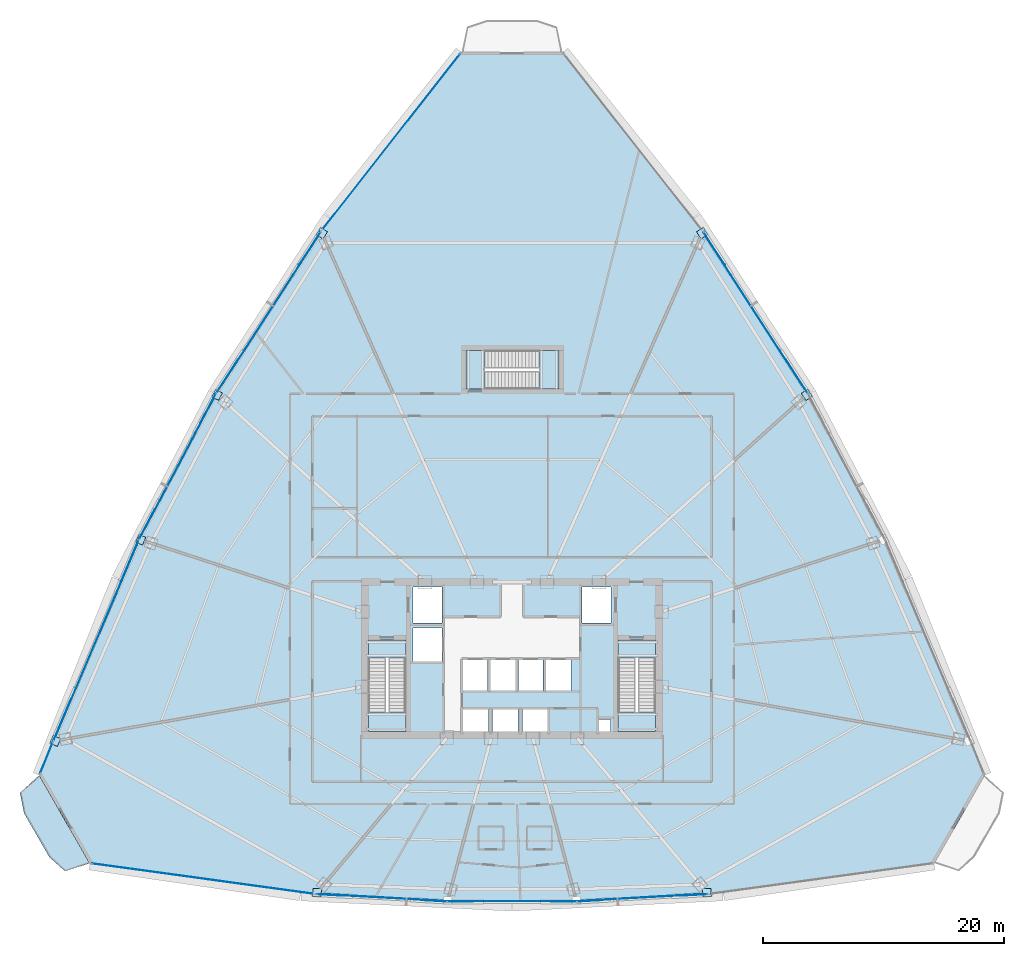
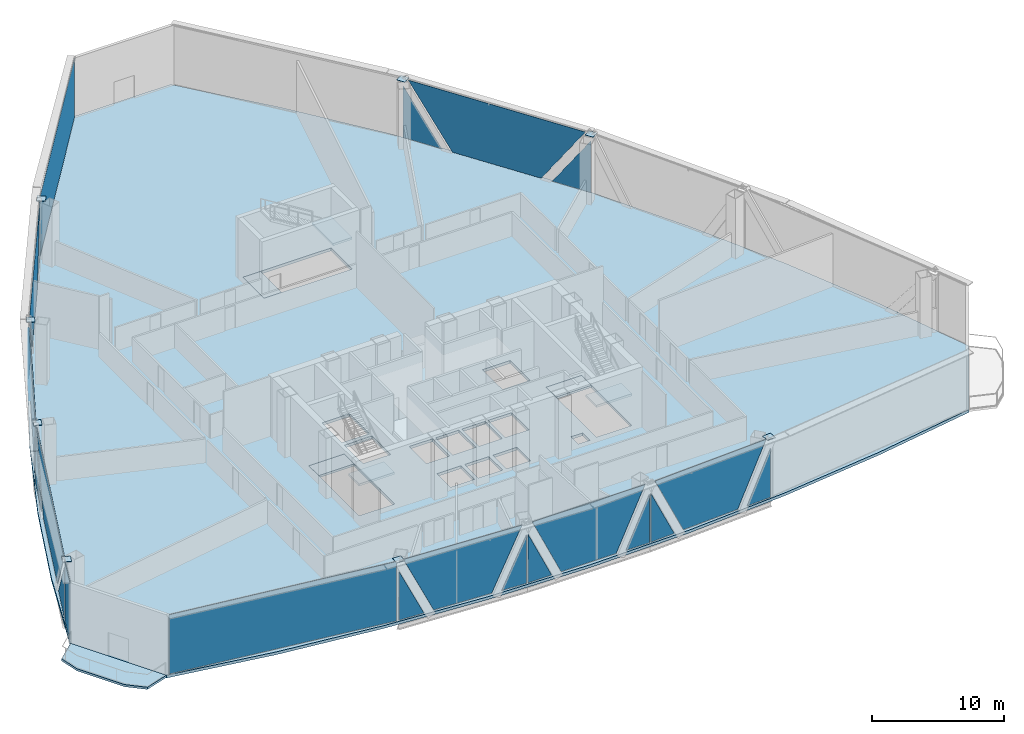
# One storey, part 31 of 40: 32 plates, 8 slabs, 13 elements without a shape of their own.
"""IFC4 building model written with IfcOpenShell, lengths in metres."""

from ifc_helpers import new_model, si_unit, direction, frame, origin, origin_2d, place, context, subcontext, project, spatial, polyline, rectangle, outline, extrude, source, transform, mapped, material, layer, layer_set, type_object, element, aggregate, save


model = new_model("IFC4")

# Units and contexts
model_context = context("Model", 3, precision=1e-05, world=origin(), true_north=direction((0.0, 1.0)))
body_context = subcontext(model_context, "Body", "Model", "MODEL_VIEW")
ifc_project = project(units=[si_unit("LENGTHUNIT", "METRE"), si_unit("AREAUNIT", "SQUARE_METRE"), si_unit("VOLUMEUNIT", "CUBIC_METRE"), si_unit("PLANEANGLEUNIT", "RADIAN"), si_unit("MASSUNIT", "GRAM", prefix="KILO"), si_unit("THERMODYNAMICTEMPERATUREUNIT", "KELVIN"), si_unit("POWERUNIT", "WATT")], contexts=[model_context])

# Site, building, storey
site_placement = place(None, origin())
site = spatial("IfcSite", under=ifc_project, at=site_placement, CompositionType="ELEMENT")
building_placement = place(site_placement, origin())
building = spatial("IfcBuilding", under=site, at=building_placement, Name="Yunzhuo Pagoda Commons", CompositionType="ELEMENT")
storey_placement = place(building_placement, frame((0.0, 0.0, 170.31005859375)))
storey = spatial("IfcBuildingStorey", under=building, at=storey_placement, Name="L43", CompositionType="ELEMENT", Elevation=170.31005859375)

# Curtain wall, plates
ifc_material_1 = material(Name="Anodized aluminium 6063-T6", Category="aluminium")
ifc_layer_1 = layer(ifc_material_1, 0.14990234375)
ifc_layer_set_1 = layer_set([ifc_layer_1], Name="Anodized aluminium 6063-T6")
curtain_wall_type = type_object("IfcCurtainWallType", Name="CW-MID Mid-Zone Ribbon Curtain Wall", PredefinedType="NOTDEFINED", material=ifc_layer_set_1)
curtain_wall_1_placement = place(storey_placement, origin())
curtain_wall_1 = element("IfcCurtainWall", 1, at=curtain_wall_1_placement, inside=storey, type_object=curtain_wall_type, Name="L43 curtain wall CW-L43-F1B2", PredefinedType="NOTDEFINED")
ifc_material_2 = material(Name="Tempered low-e double glazing", Category="glass")
ifc_layer_2 = layer(ifc_material_2, 0.028076171875)
ifc_layer_set_2 = layer_set([ifc_layer_2], Name="Tempered low-e double glazing")
plate_type_1 = type_object("IfcPlateType", Name="CW-MID-P Low-E Double Glazing 28", PredefinedType="CURTAIN_PANEL", material=ifc_layer_set_2)
plate_1_placement = place(storey_placement, frame((32.850341796875, 14.2734375, 2.30029296875), z_axis=(-0.056298716731, -0.998413969501, 0.0), x_axis=(0.998413969501, -0.056298716731, 0.0)))
plate_1 = element("IfcPlate", 2, at=plate_1_placement, type_object=plate_type_1, Name="CW panel 1.1 lite 1", PredefinedType="CURTAIN_PANEL", context=body_context, shape_type="SweptSolid", body=[
    extrude(outline(polyline([(-1.051513671875, -2.245361328125), (1.051513671875, -2.245361328125), (-1.051513671875, 2.245361328125), (-1.051513671875, -2.245361328125)])), origin(), (0.0, 0.0, 1.0), 0.028076171875),
])
plate_2_placement = place(storey_placement, frame((37.19384765625, 14.05859375, 2.784912109375), z_axis=(-0.056298716731, -0.998413969501, 0.0), x_axis=(0.998413969501, -0.056298716731, 0.0)))
plate_2 = element("IfcPlate", 3, at=plate_2_placement, type_object=plate_type_1, Name="CW panel 1.1 lite 2", PredefinedType="CURTAIN_PANEL", context=body_context, shape_type="SweptSolid", body=[
    extrude(outline(polyline([(-5.014892578125, 2.72998046875), (-2.4580078125, -2.72998046875), (2.4580078125, -2.72998046875), (5.014892578125, 2.72998046875), (-5.014892578125, 2.72998046875)])), origin(), (0.0, 0.0, 1.0), 0.028076171875),
])
plate_3_placement = place(storey_placement, frame((41.533935546875, 13.78369140625, 2.30029296875), z_axis=(-0.056298716731, -0.998413969501, 0.0), x_axis=(0.998413969501, -0.056298716731, 0.0)))
plate_3 = element("IfcPlate", 4, at=plate_3_placement, type_object=plate_type_1, Name="CW panel 1.1 lite 3", PredefinedType="CURTAIN_PANEL", context=body_context, shape_type="SweptSolid", body=[
    extrude(outline(polyline([(-1.051513671875, -2.245361328125), (1.051513671875, -2.245361328125), (1.051513671875, 2.245361328125), (-1.051513671875, -2.245361328125)])), origin(), (0.0, 0.0, 1.0), 0.028076171875),
])
aggregate(curtain_wall_1, [plate_1, plate_2, plate_3])

curtain_wall_2_placement = place(storey_placement, origin())
curtain_wall_2 = element("IfcCurtainWall", 5, at=curtain_wall_2_placement, inside=storey, type_object=curtain_wall_type, Name="L43 curtain wall CW-L43-F1B3", PredefinedType="NOTDEFINED")
plate_4_placement = place(storey_placement, frame((43.730712890625, 13.72119140625, 2.2919921875), z_axis=(0.0, -1.0, 0.0), x_axis=(1.0, 0.0, 0.0)))
plate_4 = element("IfcPlate", 6, at=plate_4_placement, type_object=plate_type_1, Name="CW panel 1.1 lite 1", PredefinedType="CURTAIN_PANEL", context=body_context, shape_type="SweptSolid", body=[
    extrude(outline(polyline([(-1.02783203125, -2.237060546875), (1.02783203125, -2.237060546875), (-1.02783203125, 2.237060546875), (-1.02783203125, -2.237060546875)])), origin(), (0.0, 0.0, 1.0), 0.028076171875),
])
plate_5_placement = place(storey_placement, frame((48.0, 13.75146484375, 2.784912109375), z_axis=(0.0, -1.0, 0.0), x_axis=(1.0, 0.0, 0.0)))
plate_5 = element("IfcPlate", 7, at=plate_5_placement, type_object=plate_type_1, Name="CW panel 1.1 lite 2", PredefinedType="CURTAIN_PANEL", context=body_context, shape_type="SweptSolid", body=[
    extrude(outline(polyline([(-4.91357421875, 2.72998046875), (-2.405029296875, -2.72998046875), (2.405029296875, -2.72998046875), (4.91357421875, 2.72998046875), (-4.91357421875, 2.72998046875)])), origin(), (0.0, 0.0, 1.0), 0.028076171875),
])
plate_6_placement = place(storey_placement, frame((52.269287109375, 13.72119140625, 2.2919921875), z_axis=(0.0, -1.0, 0.0), x_axis=(1.0, 0.0, 0.0)))
plate_6 = element("IfcPlate", 8, at=plate_6_placement, type_object=plate_type_1, Name="CW panel 1.1 lite 3", PredefinedType="CURTAIN_PANEL", context=body_context, shape_type="SweptSolid", body=[
    extrude(outline(polyline([(-1.02783203125, -2.237060546875), (1.02783203125, -2.237060546875), (1.02783203125, 2.237060546875), (-1.02783203125, -2.237060546875)])), origin(), (0.0, 0.0, 1.0), 0.028076171875),
])
aggregate(curtain_wall_2, [plate_4, plate_5, plate_6])

curtain_wall_3_placement = place(storey_placement, origin())
curtain_wall_3 = element("IfcCurtainWall", 9, at=curtain_wall_3_placement, inside=storey, type_object=curtain_wall_type, Name="L43 curtain wall CW-L43-F1B4", PredefinedType="NOTDEFINED")
plate_7_placement = place(storey_placement, frame((54.466064453125, 13.78369140625, 2.30029296875), z_axis=(0.056298716731, -0.998413969501, 0.0), x_axis=(0.998413969501, 0.056298716731, 0.0)))
plate_7 = element("IfcPlate", 10, at=plate_7_placement, type_object=plate_type_1, Name="CW panel 1.1 lite 1", PredefinedType="CURTAIN_PANEL", context=body_context, shape_type="SweptSolid", body=[
    extrude(outline(polyline([(-1.051513671875, -2.245361328125), (1.051513671875, -2.245361328125), (-1.051513671875, 2.245361328125), (-1.051513671875, -2.245361328125)])), origin(), (0.0, 0.0, 1.0), 0.028076171875),
])
plate_8_placement = place(storey_placement, frame((58.80615234375, 14.05859375, 2.784912109375), z_axis=(0.056298716731, -0.998413969501, 0.0), x_axis=(0.998413969501, 0.056298716731, 0.0)))
plate_8 = element("IfcPlate", 11, at=plate_8_placement, type_object=plate_type_1, Name="CW panel 1.1 lite 2", PredefinedType="CURTAIN_PANEL", context=body_context, shape_type="SweptSolid", body=[
    extrude(outline(polyline([(-5.014892578125, 2.72998046875), (-2.4580078125, -2.72998046875), (2.4580078125, -2.72998046875), (5.014892578125, 2.72998046875), (-5.014892578125, 2.72998046875)])), origin(), (0.0, 0.0, 1.0), 0.028076171875),
])
plate_9_placement = place(storey_placement, frame((63.149658203125, 14.2734375, 2.30029296875), z_axis=(0.056298716731, -0.998413969501, 0.0), x_axis=(0.998413969501, 0.056298716731, 0.0)))
plate_9 = element("IfcPlate", 12, at=plate_9_placement, type_object=plate_type_1, Name="CW panel 1.1 lite 3", PredefinedType="CURTAIN_PANEL", context=body_context, shape_type="SweptSolid", body=[
    extrude(outline(polyline([(-1.051513671875, -2.245361328125), (1.051513671875, -2.245361328125), (1.051513671875, 2.245361328125), (-1.051513671875, -2.245361328125)])), origin(), (0.0, 0.0, 1.0), 0.028076171875),
])
aggregate(curtain_wall_3, [plate_7, plate_8, plate_9])

curtain_wall_4_placement = place(storey_placement, origin())
curtain_wall_4 = element("IfcCurtainWall", 13, at=curtain_wall_4_placement, inside=storey, type_object=curtain_wall_type, Name="L43 curtain wall CW-L43-F2B4", PredefinedType="NOTDEFINED")
plate_10_placement = place(storey_placement, frame((71.61328125, 57.21728515625, 2.433349609375), z_axis=(0.839466065689, 0.543412113002, 0.0), x_axis=(-0.543412113002, 0.839466065689, 0.0)))
plate_10 = element("IfcPlate", 14, at=plate_10_placement, type_object=plate_type_1, Name="CW panel 1.1 lite 1", PredefinedType="CURTAIN_PANEL", context=body_context, shape_type="SweptSolid", body=[
    extrude(outline(polyline([(-1.635498046875, -2.37841796875), (1.635498046875, -2.37841796875), (-1.635498046875, 2.37841796875), (-1.635498046875, -2.37841796875)])), origin(), (0.0, 0.0, 1.0), 0.028076171875),
])
plate_11_placement = place(storey_placement, frame((68.15283203125, 62.5078125, 2.784912109375), z_axis=(0.839466065689, 0.543412113002, 0.0), x_axis=(-0.543412113002, 0.839466065689, 0.0)))
plate_11 = element("IfcPlate", 15, at=plate_11_placement, type_object=plate_type_1, Name="CW panel 1.1 lite 2", PredefinedType="CURTAIN_PANEL", context=body_context, shape_type="SweptSolid", body=[
    extrude(outline(polyline([(-7.51806640625, 2.72998046875), (-3.763916015625, -2.72998046875), (3.763916015625, -2.72998046875), (7.51806640625, 2.72998046875), (-7.51806640625, 2.72998046875)])), origin(), (0.0, 0.0, 1.0), 0.028076171875),
])
plate_12_placement = place(storey_placement, frame((64.74267578125, 67.8310546875, 2.433349609375), z_axis=(0.839466065689, 0.543412113002, 0.0), x_axis=(-0.543412113002, 0.839466065689, 0.0)))
plate_12 = element("IfcPlate", 16, at=plate_12_placement, type_object=plate_type_1, Name="CW panel 1.1 lite 3", PredefinedType="CURTAIN_PANEL", context=body_context, shape_type="SweptSolid", body=[
    extrude(outline(polyline([(-1.635498046875, -2.37841796875), (1.635498046875, -2.37841796875), (1.635498046875, 2.37841796875), (-1.635498046875, -2.37841796875)])), origin(), (0.0, 0.0, 1.0), 0.028076171875),
])
aggregate(curtain_wall_4, [plate_10, plate_11, plate_12])

curtain_wall_5_placement = place(storey_placement, origin())
curtain_wall_5 = element("IfcCurtainWall", 17, at=curtain_wall_5_placement, inside=storey, type_object=curtain_wall_type, Name="L43 curtain wall CW-L43-F3B2", PredefinedType="NOTDEFINED")
plate_13_placement = place(storey_placement, frame((31.25732421875, 67.8310546875, 2.433349609375), z_axis=(-0.839466065689, 0.543412113002, 0.0), x_axis=(-0.543412113002, -0.839466065689, 0.0)))
plate_13 = element("IfcPlate", 18, at=plate_13_placement, type_object=plate_type_1, Name="CW panel 1.1 lite 1", PredefinedType="CURTAIN_PANEL", context=body_context, shape_type="SweptSolid", body=[
    extrude(outline(polyline([(-1.635498046875, -2.37841796875), (1.635498046875, -2.37841796875), (-1.635498046875, 2.37841796875), (-1.635498046875, -2.37841796875)])), origin(), (0.0, 0.0, 1.0), 0.028076171875),
])
plate_14_placement = place(storey_placement, frame((27.84716796875, 62.5078125, 2.784912109375), z_axis=(-0.839466065689, 0.543412113002, 0.0), x_axis=(-0.543412113002, -0.839466065689, 0.0)))
plate_14 = element("IfcPlate", 19, at=plate_14_placement, type_object=plate_type_1, Name="CW panel 1.1 lite 2", PredefinedType="CURTAIN_PANEL", context=body_context, shape_type="SweptSolid", body=[
    extrude(outline(polyline([(-7.51806640625, 2.72998046875), (-3.763916015625, -2.72998046875), (3.763916015625, -2.72998046875), (7.51806640625, 2.72998046875), (-7.51806640625, 2.72998046875)])), origin(), (0.0, 0.0, 1.0), 0.028076171875),
])
plate_15_placement = place(storey_placement, frame((24.38671875, 57.21728515625, 2.433349609375), z_axis=(-0.839466065689, 0.543412113002, 0.0), x_axis=(-0.543412113002, -0.839466065689, 0.0)))
plate_15 = element("IfcPlate", 20, at=plate_15_placement, type_object=plate_type_1, Name="CW panel 1.1 lite 3", PredefinedType="CURTAIN_PANEL", context=body_context, shape_type="SweptSolid", body=[
    extrude(outline(polyline([(-1.635498046875, -2.37841796875), (1.635498046875, -2.37841796875), (1.635498046875, 2.37841796875), (-1.635498046875, -2.37841796875)])), origin(), (0.0, 0.0, 1.0), 0.028076171875),
])
aggregate(curtain_wall_5, [plate_13, plate_14, plate_15])

curtain_wall_6_placement = place(storey_placement, origin())
curtain_wall_6 = element("IfcCurtainWall", 21, at=curtain_wall_6_placement, inside=storey, type_object=curtain_wall_type, Name="L43 curtain wall CW-L43-F3B3", PredefinedType="NOTDEFINED")
plate_16_placement = place(storey_placement, frame((22.8017578125, 54.53759765625, 2.384521484375), z_axis=(-0.88426270096, 0.466989802556, 0.0), x_axis=(-0.466989802556, -0.88426270096, 0.0)))
plate_16 = element("IfcPlate", 22, at=plate_16_placement, type_object=plate_type_1, Name="CW panel 1.1 lite 1", PredefinedType="CURTAIN_PANEL", context=body_context, shape_type="SweptSolid", body=[
    extrude(outline(polyline([(-1.3623046875, -2.32958984375), (1.3623046875, -2.32958984375), (-1.3623046875, 2.32958984375), (-1.3623046875, -2.32958984375)])), origin(), (0.0, 0.0, 1.0), 0.028076171875),
])
plate_17_placement = place(storey_placement, frame((20.308837890625, 49.75244140625, 2.784912109375), z_axis=(-0.88426270096, 0.466989802556, 0.0), x_axis=(-0.466989802556, -0.88426270096, 0.0)))
plate_17 = element("IfcPlate", 23, at=plate_17_placement, type_object=plate_type_1, Name="CW panel 1.1 lite 2", PredefinedType="CURTAIN_PANEL", context=body_context, shape_type="SweptSolid", body=[
    extrude(outline(polyline([(-6.34521484375, 2.72998046875), (-3.15283203125, -2.72998046875), (3.15283203125, -2.72998046875), (6.34521484375, 2.72998046875), (-6.34521484375, 2.72998046875)])), origin(), (0.0, 0.0, 1.0), 0.028076171875),
])
plate_18_placement = place(storey_placement, frame((17.7626953125, 44.99560546875, 2.384521484375), z_axis=(-0.88426270096, 0.466989802556, 0.0), x_axis=(-0.466989802556, -0.88426270096, 0.0)))
plate_18 = element("IfcPlate", 24, at=plate_18_placement, type_object=plate_type_1, Name="CW panel 1.1 lite 3", PredefinedType="CURTAIN_PANEL", context=body_context, shape_type="SweptSolid", body=[
    extrude(outline(polyline([(-1.3623046875, -2.32958984375), (1.3623046875, -2.32958984375), (1.3623046875, 2.32958984375), (-1.3623046875, -2.32958984375)])), origin(), (0.0, 0.0, 1.0), 0.028076171875),
])
aggregate(curtain_wall_6, [plate_16, plate_17, plate_18])

curtain_wall_7_placement = place(storey_placement, origin())
curtain_wall_7 = element("IfcCurtainWall", 25, at=curtain_wall_7_placement, inside=storey, type_object=curtain_wall_type, Name="L43 curtain wall CW-L43-F3B4", PredefinedType="NOTDEFINED")
plate_19_placement = place(storey_placement, frame((16.33984375, 41.95263671875, 2.465087890625), z_axis=(-0.920363798122, 0.391063267395, 0.0), x_axis=(-0.391063267395, -0.920363798122, 0.0)))
plate_19 = element("IfcPlate", 26, at=plate_19_placement, type_object=plate_type_1, Name="CW panel 1.1 lite 1", PredefinedType="CURTAIN_PANEL", context=body_context, shape_type="SweptSolid", body=[
    extrude(outline(polyline([(-1.881103515625, -2.41015625), (1.881103515625, -2.41015625), (-1.881103515625, 2.41015625), (-1.881103515625, -2.41015625)])), origin(), (0.0, 0.0, 1.0), 0.028076171875),
])
plate_20_placement = place(storey_placement, frame((13.568115234375, 35.352294921875, 2.784912109375), z_axis=(-0.920363798122, 0.391063267395, 0.0), x_axis=(-0.391063267395, -0.920363798122, 0.0)))
plate_20 = element("IfcPlate", 27, at=plate_20_placement, type_object=plate_type_1, Name="CW panel 1.1 lite 2", PredefinedType="CURTAIN_PANEL", context=body_context, shape_type="SweptSolid", body=[
    extrude(outline(polyline([(-8.574951171875, 2.72998046875), (-4.313720703125, -2.72998046875), (4.313720703125, -2.72998046875), (8.574951171875, 2.72998046875), (-8.574951171875, 2.72998046875)])), origin(), (0.0, 0.0, 1.0), 0.028076171875),
])
plate_21_placement = place(storey_placement, frame((10.74072265625, 28.775146484375, 2.465087890625), z_axis=(-0.920363798122, 0.391063267395, 0.0), x_axis=(-0.391063267395, -0.920363798122, 0.0)))
plate_21 = element("IfcPlate", 28, at=plate_21_placement, type_object=plate_type_1, Name="CW panel 1.1 lite 3", PredefinedType="CURTAIN_PANEL", context=body_context, shape_type="SweptSolid", body=[
    extrude(outline(polyline([(-1.881103515625, -2.41015625), (1.881103515625, -2.41015625), (1.881103515625, 2.41015625), (-1.881103515625, -2.41015625)])), origin(), (0.0, 0.0, 1.0), 0.028076171875),
])
aggregate(curtain_wall_7, [plate_19, plate_20, plate_21])

# Slab
ifc_material_3 = material(Name="Concrete C40", Category="concrete")
ifc_layer_3 = layer(ifc_material_3, 0.199951171875)
ifc_layer_set_3 = layer_set([ifc_layer_3], Name="Concrete C40")
slab_type_1 = type_object("IfcSlabType", Name="SL-BAL Vertex Balcony Deck Slab 200", PredefinedType="FLOOR", material=ifc_layer_set_3)
slab_1_placement = place(storey_placement, frame((0.0, 0.0, -0.199951171875)))
element("IfcSlab", 29, at=slab_1_placement, inside=storey, type_object=slab_type_1, Name="L43 corner balcony V1", PredefinedType="FLOOR", context=body_context, shape_type="SweptSolid", body=[
    extrude(outline(polyline([(8.81396484375, 24.16455078125), (12.994384765625, 16.883544921875), (10.95361328125, 16.230712890625), (9.655517578125, 17.38671875), (7.565185546875, 21.02734375), (7.22119140625, 22.731201171875), (8.81396484375, 24.16455078125)])), origin(), (0.0, 0.0, 1.0), 0.199951171875),
])

# Stair, slabs
stair_type_1 = type_object("IfcStairType", Name="ST-C1 Core Smokeproof Stair ST1", PredefinedType="HALF_TURN_STAIR", material=ifc_material_3)
stair_1_placement = place(storey_placement, origin())
stair_1 = element("IfcStair", 30, at=stair_1_placement, inside=storey, type_object=stair_type_1, Name="L43 Core smokeproof stair ST1", PredefinedType="HALF_TURN_STAIR")
ifc_layer_4 = layer(ifc_material_3, 0.199951171875)
ifc_layer_set_4 = layer_set([ifc_layer_4], Name="Concrete C40")
slab_type_2 = type_object("IfcSlabType", Name="SL-LND1 Stair Landing Slab 200", PredefinedType="LANDING", material=ifc_layer_set_4)
slab_2_placement = place(storey_placement, frame((0.0, 0.0, 2.724853515625)))
slab_2 = element("IfcSlab", 31, at=slab_2_placement, type_object=slab_type_2, Name="ST1 landing 1", PredefinedType="LANDING", context=body_context, shape_type="SweptSolid", body=[
    extrude(outline(polyline([(36.10009765625, 29.419921875), (36.10009765625, 27.800048828125), (39.199951171875, 27.800048828125), (39.199951171875, 29.419921875), (36.10009765625, 29.419921875)])), origin(), (0.0, 0.0, 1.0), 0.2001953125),
])
slab_3_placement = place(storey_placement, frame((0.0, 0.0, -0.199951171875)))
slab_3 = element("IfcSlab", 32, at=slab_3_placement, type_object=slab_type_2, Name="ST1 floor landing L43", PredefinedType="LANDING", context=body_context, shape_type="SweptSolid", body=[
    extrude(outline(polyline([(36.10009765625, 35.39990234375), (36.10009765625, 33.89990234375), (39.199951171875, 33.89990234375), (39.199951171875, 35.39990234375), (36.10009765625, 35.39990234375)])), origin(), (0.0, 0.0, 1.0), 0.199951171875),
])
aggregate(stair_1, [slab_2, slab_3])

stair_type_2 = type_object("IfcStairType", Name="ST-C2 Core Smokeproof Stair ST2", PredefinedType="HALF_TURN_STAIR", material=ifc_material_3)
stair_2_placement = place(storey_placement, origin())
stair_2 = element("IfcStair", 33, at=stair_2_placement, inside=storey, type_object=stair_type_2, Name="L43 Core smokeproof stair ST2", PredefinedType="HALF_TURN_STAIR")
ifc_layer_5 = layer(ifc_material_3, 0.201904296875)
ifc_layer_set_5 = layer_set([ifc_layer_5], Name="Concrete C40")
slab_type_3 = type_object("IfcSlabType", Name="SL-LND2 Stair Landing Slab 202", PredefinedType="LANDING", material=ifc_layer_set_5)
slab_4_placement = place(storey_placement, frame((0.0, 0.0, 2.724853515625)))
slab_4 = element("IfcSlab", 34, at=slab_4_placement, type_object=slab_type_3, Name="ST2 landing 1", PredefinedType="LANDING", context=body_context, shape_type="SweptSolid", body=[
    extrude(outline(polyline([(56.800048828125, 29.419921875), (56.800048828125, 27.800048828125), (59.89990234375, 27.800048828125), (59.89990234375, 29.419921875), (56.800048828125, 29.419921875)])), origin(), (0.0, 0.0, 1.0), 0.2001953125),
])
slab_5_placement = place(storey_placement, frame((0.0, 0.0, -0.199951171875)))
slab_5 = element("IfcSlab", 35, at=slab_5_placement, type_object=slab_type_3, Name="ST2 floor landing L43", PredefinedType="LANDING", context=body_context, shape_type="SweptSolid", body=[
    extrude(outline(polyline([(56.800048828125, 35.39990234375), (56.800048828125, 33.89990234375), (59.89990234375, 33.89990234375), (59.89990234375, 35.39990234375), (56.800048828125, 35.39990234375)])), origin(), (0.0, 0.0, 1.0), 0.199951171875),
])
aggregate(stair_2, [slab_4, slab_5])

stair_type_3 = type_object("IfcStairType", Name="ST-C3 North Tower Smokeproof Stair ST3", PredefinedType="HALF_TURN_STAIR", material=ifc_material_3)
stair_3_placement = place(storey_placement, origin())
stair_3 = element("IfcStair", 36, at=stair_3_placement, inside=storey, type_object=stair_type_3, Name="L43 North tower smokeproof stair ST3", PredefinedType="HALF_TURN_STAIR")
ifc_layer_6 = layer(ifc_material_3, 0.2041015625)
ifc_layer_set_6 = layer_set([ifc_layer_6], Name="Concrete C40")
slab_type_4 = type_object("IfcSlabType", Name="SL-LND5 North Landing Slab 204", PredefinedType="LANDING", material=ifc_layer_set_6)
slab_6_placement = place(storey_placement, frame((0.0, 0.0, 2.724853515625)))
slab_6 = element("IfcSlab", 37, at=slab_6_placement, type_object=slab_type_4, Name="ST3 landing 1", PredefinedType="LANDING", context=body_context, shape_type="SweptSolid", body=[
    extrude(outline(polyline([(50.22998046875, 56.199951171875), (51.89990234375, 56.199951171875), (51.89990234375, 59.39990234375), (50.22998046875, 59.39990234375), (50.22998046875, 56.199951171875)])), origin(), (0.0, 0.0, 1.0), 0.2001953125),
])
slab_7_placement = place(storey_placement, frame((0.0, 0.0, -0.199951171875)))
slab_7 = element("IfcSlab", 38, at=slab_7_placement, type_object=slab_type_4, Name="ST3 floor landing L43", PredefinedType="LANDING", context=body_context, shape_type="SweptSolid", body=[
    extrude(outline(polyline([(44.199951171875, 56.199951171875), (45.75, 56.199951171875), (45.75, 59.39990234375), (44.199951171875, 59.39990234375), (44.199951171875, 56.199951171875)])), origin(), (0.0, 0.0, 1.0), 0.199951171875),
])
aggregate(stair_3, [slab_6, slab_7])

# Slab
ifc_layer_7 = layer(ifc_material_3, 0.260009765625)
ifc_layer_set_7 = layer_set([ifc_layer_7], Name="Concrete C40")
slab_type_5 = type_object("IfcSlabType", Name="SL-TWR Typical Tower Floor Slab 260", PredefinedType="FLOOR", material=ifc_layer_set_7)
slab_8_placement = place(storey_placement, frame((0.0, 0.0, -0.260009765625)))
element("IfcSlab", 39, at=slab_8_placement, inside=storey, type_object=slab_type_5, Name="L43 structural floor slab", PredefinedType="FLOOR", context=body_context, shape_type="SweptSolid", body=[
    extrude(outline(polyline([(11.90625, 32.41357421875), (15.362060546875, 40.4453125), (19.185546875, 48.262451171875), (23.376953125, 55.86474609375), (27.935791015625, 63.252685546875), (32.86279296875, 70.42578125), (38.1572265625, 77.384033203125), (43.8193359375, 84.1279296875), (52.1806640625, 84.1279296875), (57.8427734375, 77.384033203125), (63.13720703125, 70.42578125), (68.064208984375, 63.252685546875), (72.623046875, 55.86474609375), (76.814453125, 48.262451171875), (80.637939453125, 40.4453125), (84.09375, 32.41357421875), (87.181884765625, 24.1669921875), (83.001220703125, 16.885986328125), (74.2509765625, 15.395751953125), (65.50048828125, 14.331298828125), (56.750244140625, 13.6923828125), (48.0, 13.4794921875), (39.249755859375, 13.6923828125), (30.49951171875, 14.331298828125), (21.7490234375, 15.395751953125), (12.998779296875, 16.885986328125), (8.818115234375, 24.1669921875), (11.90625, 32.41357421875)]), holes=[polyline([(46.050048828125, 29.64990234375), (43.949951171875, 29.64990234375), (43.949951171875, 27.60009765625), (46.050048828125, 27.60009765625), (46.050048828125, 29.64990234375)]), polyline([(48.5, 27.60009765625), (48.5, 29.64990234375), (46.39990234375, 29.64990234375), (46.39990234375, 27.60009765625), (48.5, 27.60009765625)]), polyline([(36.10009765625, 27.800048828125), (39.199951171875, 27.800048828125), (39.199951171875, 35.39990234375), (36.10009765625, 35.39990234375), (36.10009765625, 27.800048828125)]), polyline([(45.969970703125, 31.199951171875), (45.969970703125, 33.800048828125), (43.929931640625, 33.800048828125), (43.929931640625, 31.199951171875), (45.969970703125, 31.199951171875)]), polyline([(48.27001953125, 31.199951171875), (48.27001953125, 33.800048828125), (46.22998046875, 33.800048828125), (46.22998046875, 31.199951171875), (48.27001953125, 31.199951171875)]), polyline([(42.199951171875, 33.60009765625), (42.199951171875, 36.39990234375), (39.800048828125, 36.39990234375), (39.800048828125, 33.60009765625), (42.199951171875, 33.60009765625)]), polyline([(42.199951171875, 36.800048828125), (42.199951171875, 39.800048828125), (39.800048828125, 39.800048828125), (39.800048828125, 36.800048828125), (42.199951171875, 36.800048828125)]), polyline([(56.179931640625, 28.800048828125), (55.179931640625, 28.800048828125), (55.179931640625, 27.699951171875), (56.179931640625, 27.699951171875), (56.179931640625, 28.800048828125)]), polyline([(50.949951171875, 27.60009765625), (50.949951171875, 29.64990234375), (48.85009765625, 29.64990234375), (48.85009765625, 27.60009765625), (50.949951171875, 27.60009765625)]), polyline([(56.800048828125, 27.800048828125), (59.89990234375, 27.800048828125), (59.89990234375, 35.39990234375), (56.800048828125, 35.39990234375), (56.800048828125, 27.800048828125)]), polyline([(50.570068359375, 31.199951171875), (50.570068359375, 33.800048828125), (48.530029296875, 33.800048828125), (48.530029296875, 31.199951171875), (50.570068359375, 31.199951171875)]), polyline([(52.8701171875, 31.199951171875), (52.8701171875, 33.800048828125), (50.830078125, 33.800048828125), (50.830078125, 31.199951171875), (52.8701171875, 31.199951171875)]), polyline([(56.199951171875, 36.800048828125), (56.199951171875, 39.800048828125), (53.800048828125, 39.800048828125), (53.800048828125, 36.800048828125), (56.199951171875, 36.800048828125)]), polyline([(51.89990234375, 56.199951171875), (51.89990234375, 59.39990234375), (44.199951171875, 59.39990234375), (44.199951171875, 56.199951171875), (51.89990234375, 56.199951171875)])]), origin(), (0.0, 0.0, 1.0), 0.260009765625),
])

# Plates
ifc_material_4 = material(Name="Structural steel Q355B", Category="steel")
ifc_layer_8 = layer(ifc_material_4, 0.028076171875)
ifc_layer_set_8 = layer_set([ifc_layer_8], Name="Structural steel Q355B")
plate_type_2 = type_object("IfcPlateType", Name="SP-ND1 Lattice Node Cap Plate 800x500x28", PredefinedType="USERDEFINED", material=ifc_layer_set_8)
shared_shape_1 = source(origin(), body_context, "Body", "SweptSolid", [
    extrude(rectangle(XDim=0.699951171875, YDim=0.680908203125, at=origin_2d()), origin(), (0.0, 0.0, 1.0), 0.035888671875),
])
for number, where, z_axis, x_axis, name in (
    (40, (31.84619140625, 14.44873046875, 5.5322265625), (0.0, 0.0, 1.0), (0.998414348059, -0.056292002903, 0.0), "L43 setback lattice tie plate F1.1L"),
    (41, (64.15380859375, 14.44873046875, 5.5322265625), (0.0, 0.0, 1.0), (0.998414348059, 0.056292002903, 0.0), "L43 setback lattice tie plate F1.3R"),
):
    element("IfcPlate", number, at=place(storey_placement, frame(where, z_axis=z_axis, x_axis=x_axis)), inside=storey, type_object=plate_type_2, Name=name, ObjectType="STIFFENER_PLATE", PredefinedType="USERDEFINED", context=body_context, shape_type="MappedRepresentation", body=[
        mapped(shared_shape_1, transform((0.0, 0.0, 0.0), scale=1.0)),
    ])
shared_shape_2 = source(origin(), body_context, "Body", "SweptSolid", [
    extrude(rectangle(XDim=0.699951171875, YDim=0.694091796875, at=origin_2d()), origin(), (0.0, 0.0, 1.0), 0.035888671875),
])
plate_22_placement = place(storey_placement, frame((10.13818359375, 27.02392578125, 5.5322265625), z_axis=(0.0, 0.0, 1.0), x_axis=(-0.391068484887, -0.920361581189, 0.0)))
element("IfcPlate", 42, at=plate_22_placement, inside=storey, type_object=plate_type_2, Name="L43 setback lattice tie plate F3.3R", ObjectType="STIFFENER_PLATE", PredefinedType="USERDEFINED", context=body_context, shape_type="MappedRepresentation", body=[
    mapped(shared_shape_2, transform((0.0, 0.0, 0.0), scale=1.0)),
])
shared_shape_3 = source(origin(), body_context, "Body", "SweptSolid", [
    extrude(rectangle(XDim=0.699951171875, YDim=0.6328125, at=origin_2d()), origin(), (0.0, 0.0, 1.0), 0.035888671875),
])
plate_23_placement = place(storey_placement, frame((17.220458984375, 43.700927734375, 5.5322265625), z_axis=(0.0, 0.0, 1.0), x_axis=(-0.391068484887, -0.920361581189, 0.0)))
element("IfcPlate", 43, at=plate_23_placement, inside=storey, type_object=plate_type_2, Name="L43 setback lattice tie plate F3.3L", ObjectType="STIFFENER_PLATE", PredefinedType="USERDEFINED", context=body_context, shape_type="MappedRepresentation", body=[
    mapped(shared_shape_3, transform((0.0, 0.0, 0.0), scale=1.0)),
])
shared_shape_4 = source(origin(), body_context, "Body", "SweptSolid", [
    extrude(rectangle(XDim=0.699951171875, YDim=0.678955078125, at=origin_2d()), origin(), (0.0, 0.0, 1.0), 0.035888671875),
])
for number, where, z_axis, x_axis, name in (
    (44, (63.766357421875, 69.111572265625, 5.5322265625), (0.0, 0.0, 1.0), (-0.543408894866, 0.839468148878, 0.0), "L43 setback lattice tie plate F2.3R"),
    (45, (32.233642578125, 69.111572265625, 5.5322265625), (0.0, 0.0, 1.0), (-0.543408894866, -0.839468148878, 0.0), "L43 setback lattice tie plate F3.1L"),
):
    element("IfcPlate", number, at=place(storey_placement, frame(where, z_axis=z_axis, x_axis=x_axis)), inside=storey, type_object=plate_type_2, Name=name, ObjectType="STIFFENER_PLATE", PredefinedType="USERDEFINED", context=body_context, shape_type="MappedRepresentation", body=[
        mapped(shared_shape_4, transform((0.0, 0.0, 0.0), scale=1.0)),
    ])
shared_shape_5 = source(origin(), body_context, "Body", "SweptSolid", [
    extrude(rectangle(XDim=0.699951171875, YDim=0.6337890625, at=origin_2d()), origin(), (0.0, 0.0, 1.0), 0.035888671875),
])
for number, where, z_axis, x_axis, name in (
    (46, (72.44091796875, 55.706787109375, 5.5322265625), (0.0, 0.0, 1.0), (-0.543408894866, 0.839468148878, 0.0), "L43 setback lattice tie plate F2.3L"),
    (47, (23.55908203125, 55.706787109375, 5.5322265625), (0.0, 0.0, 1.0), (-0.46698864742, -0.884263311, 0.0), "L43 setback lattice tie plate F3.2L"),
):
    element("IfcPlate", number, at=place(storey_placement, frame(where, z_axis=z_axis, x_axis=x_axis)), inside=storey, type_object=plate_type_2, Name=name, ObjectType="STIFFENER_PLATE", PredefinedType="USERDEFINED", context=body_context, shape_type="MappedRepresentation", body=[
        mapped(shared_shape_5, transform((0.0, 0.0, 0.0), scale=1.0)),
    ])

# Curtain wall, plate
curtain_wall_8_placement = place(storey_placement, origin())
curtain_wall_8 = element("IfcCurtainWall", 48, at=curtain_wall_8_placement, inside=storey, type_object=curtain_wall_type, Name="L43 curtain wall CW-L43-F1B1", PredefinedType="NOTDEFINED")
shared_shape_6 = source(origin(), body_context, "Body", "SweptSolid", [
    extrude(rectangle(XDim=18.559814453125, YDim=0.028076171875, at=origin_2d()), origin(), (0.0, 0.0, 1.0), 5.4599609375),
])
plate_24_placement = place(storey_placement, frame((22.412109375, 15.600341796875, 0.054931640625), z_axis=(0.0, 0.0, 1.0), x_axis=(0.990740757976, -0.135767265879, 0.0)))
plate_24 = element("IfcPlate", 49, at=plate_24_placement, type_object=plate_type_1, Name="CW panel 1.1", PredefinedType="CURTAIN_PANEL", context=body_context, shape_type="MappedRepresentation", body=[
    mapped(shared_shape_6, transform((0.0, 0.0, 0.0), scale=1.0)),
])
aggregate(curtain_wall_8, [plate_24])

curtain_wall_9_placement = place(storey_placement, origin())
curtain_wall_9 = element("IfcCurtainWall", 50, at=curtain_wall_9_placement, inside=storey, type_object=curtain_wall_type, Name="L43 curtain wall CW-L43-F3B5", PredefinedType="NOTDEFINED")
shared_shape_7 = source(origin(), body_context, "Body", "SweptSolid", [
    extrude(rectangle(XDim=2.6962890625, YDim=0.028076171875, at=origin_2d()), origin(), (0.0, 0.0, 1.0), 5.4599609375),
])
plate_25_placement = place(storey_placement, frame((9.412109375, 25.619384765625, 0.054931640625), z_axis=(0.0, 0.0, 1.0), x_axis=(-0.375317697594, -0.926896232527, 0.0)))
plate_25 = element("IfcPlate", 51, at=plate_25_placement, type_object=plate_type_1, Name="CW panel 1.1", PredefinedType="CURTAIN_PANEL", context=body_context, shape_type="MappedRepresentation", body=[
    mapped(shared_shape_7, transform((0.0, 0.0, 0.0), scale=1.0)),
])
aggregate(curtain_wall_9, [plate_25])

curtain_wall_10_placement = place(storey_placement, origin())
curtain_wall_10 = element("IfcCurtainWall", 52, at=curtain_wall_10_placement, inside=storey, type_object=curtain_wall_type, Name="L43 curtain wall CW-L43-F3B1", PredefinedType="NOTDEFINED")
shared_shape_8 = source(origin(), body_context, "Body", "SweptSolid", [
    extrude(rectangle(XDim=18.53271484375, YDim=0.028076171875, at=origin_2d()), origin(), (0.0, 0.0, 1.0), 5.4599609375),
])
plate_26_placement = place(storey_placement, frame((37.96875, 76.659423828125, 0.054931640625), z_axis=(0.0, 0.0, 1.0), x_axis=(-0.617137527071, -0.786855306064, 0.0)))
plate_26 = element("IfcPlate", 53, at=plate_26_placement, type_object=plate_type_1, Name="CW panel 1.1", PredefinedType="CURTAIN_PANEL", context=body_context, shape_type="MappedRepresentation", body=[
    mapped(shared_shape_8, transform((0.0, 0.0, 0.0), scale=1.0)),
])
aggregate(curtain_wall_10, [plate_26])

save(model, "model.ifc")
